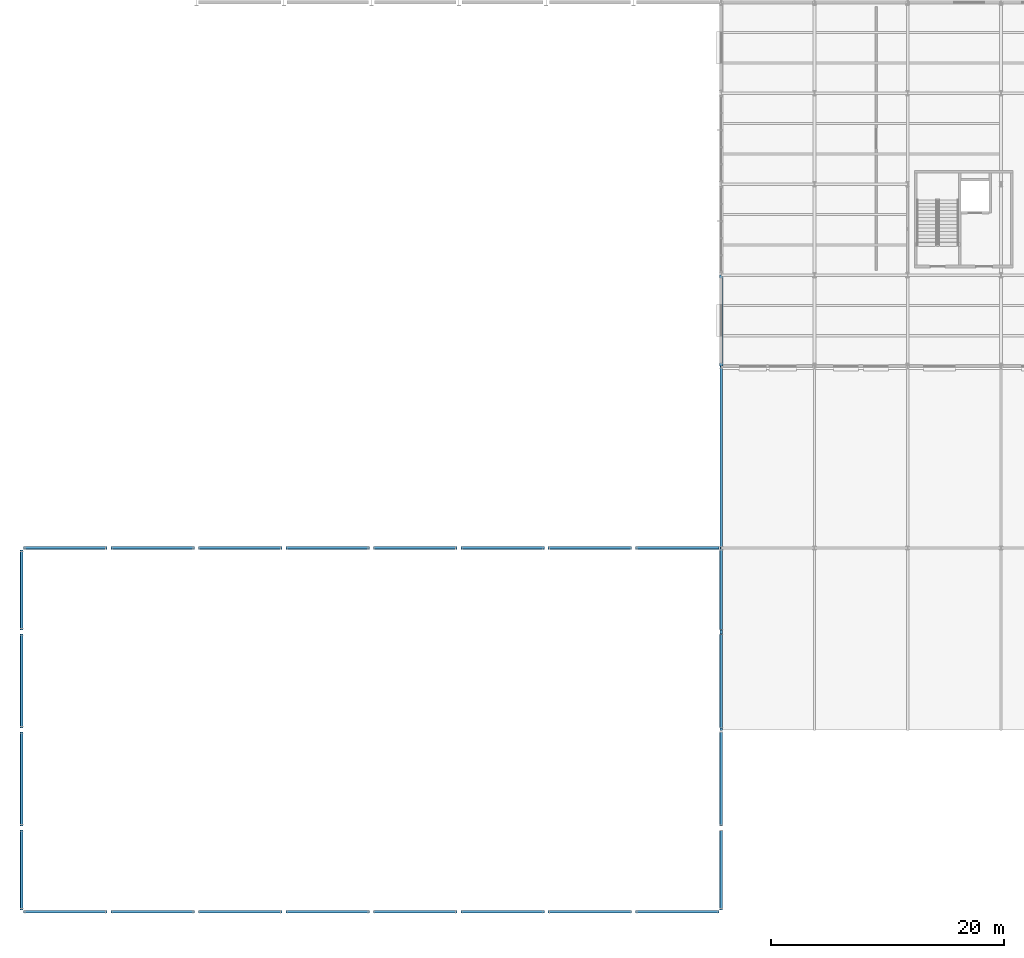
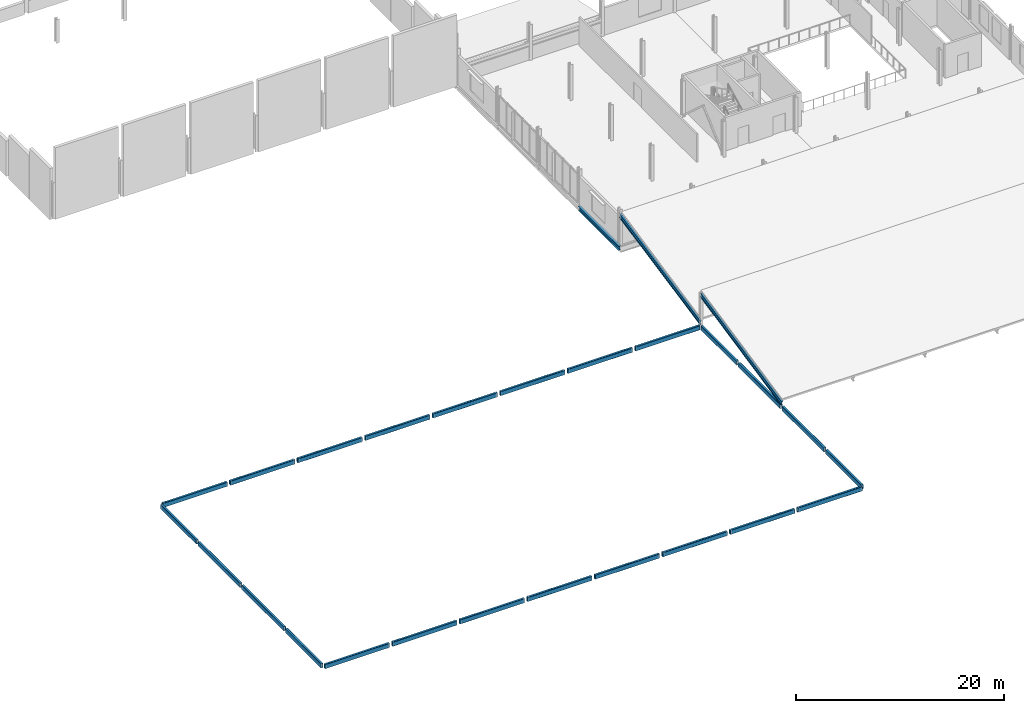
# One storey, part 11 of 45: 27 beams.
"""IFC4 building model written with IfcOpenShell, lengths in metres."""

from ifc_helpers import new_model, si_unit, direction, frame, origin, origin_2d, place, context, subcontext, project, spatial, hollow_rectangle, i_section, extrude, material, material_profile, profile_set, type_object, element, save


model = new_model("IFC4")

# Units and contexts
model_context = context("Model", 3, precision=1e-05, world=origin(), true_north=direction((0.0, 1.0)))
body_context = subcontext(model_context, "Body", "Model", "MODEL_VIEW")
ifc_project = project(units=[si_unit("LENGTHUNIT", "METRE"), si_unit("AREAUNIT", "SQUARE_METRE"), si_unit("VOLUMEUNIT", "CUBIC_METRE"), si_unit("PLANEANGLEUNIT", "RADIAN"), si_unit("MASSUNIT", "GRAM", prefix="KILO")], contexts=[model_context])

# Site, building, storey
site_placement = place(None, origin())
site = spatial("IfcSite", under=ifc_project, at=site_placement, CompositionType="ELEMENT")
building_placement = place(site_placement, origin())
building = spatial("IfcBuilding", under=site, at=building_placement, Name="Yukiwa Park Conservatory and Herbarium", CompositionType="ELEMENT")
storey_placement = place(building_placement, frame((0.0, 0.0, 9.0)))
storey = spatial("IfcBuildingStorey", under=building, at=storey_placement, Name="L02", CompositionType="ELEMENT", Elevation=9.0)

# Beams
ifc_material_1 = material(Name="Steel Q355D", Category="steel")
ifc_material_profile_1 = material_profile(ifc_material_1, i_section(OverallWidth=0.199951171875, OverallDepth=0.5, WebThickness=0.010009765625, FlangeThickness=0.01611328125, FilletRadius=0.02001953125, at=origin_2d()), Name="HN 500x200x10x16")
ifc_profile_set_1 = profile_set([ifc_material_profile_1], Name="Steel Q355D")
beam_type_1 = type_object("IfcBeamType", Name="BM-GRD-HN500-EXT", PredefinedType="BEAM", material=ifc_profile_set_1)
beam_1_placement = place(storey_placement, frame((60.0, 15.60595703125, 0.205078125), z_axis=(0.0, 0.978114951062, 0.208065236187), x_axis=(-1.0, 0.0, 0.0)))
element("IfcBeam", 1, at=beam_1_placement, inside=storey, type_object=beam_type_1, Name="Concourse sloped roof rafter 1.1", PredefinedType="BEAM", context=body_context, shape_type="SweptSolid", body=[
    extrude(i_section(OverallWidth=0.199951171875, OverallDepth=0.5, WebThickness=0.010009765625, FlangeThickness=0.01611328125, FilletRadius=0.02001953125, at=origin_2d()), origin(), (0.0, 0.0, 1.0), 15.93701171875),
])
beam_2_placement = place(storey_placement, frame((60.0, 31.2060546875, 0.205078125), z_axis=(0.0, 0.979635987372, 0.200781802574), x_axis=(-1.0, 0.0, 0.0)))
element("IfcBeam", 2, at=beam_2_placement, inside=storey, type_object=beam_type_1, Name="Concourse sloped roof rafter 2.1", PredefinedType="BEAM", context=body_context, shape_type="SweptSolid", body=[
    extrude(i_section(OverallWidth=0.199951171875, OverallDepth=0.5, WebThickness=0.010009765625, FlangeThickness=0.01611328125, FilletRadius=0.02001953125, at=origin_2d()), origin(), (0.0, 0.0, 1.0), 15.911865234375),
])
ifc_material_2 = material(Name="Steel Q355D", Category="steel")
ifc_material_profile_2 = material_profile(ifc_material_2, i_section(OverallWidth=0.300048828125, OverallDepth=0.493896484375, WebThickness=0.010986328125, FlangeThickness=0.014892578125, FilletRadius=0.02392578125, at=origin_2d()), Name="HM 494x300x11x15")
ifc_profile_set_2 = profile_set([ifc_material_profile_2], Name="Steel Q355D")
beam_type_2 = type_object("IfcBeamType", Name="BM-SPN-HN450", PredefinedType="SPANDREL", material=ifc_profile_set_2)
beam_3_placement = place(storey_placement, frame((60.0, 46.805908203125, -0.491943359375), z_axis=(0.0, 1.0, 0.0), x_axis=(-1.0, 0.0, 0.0)))
element("IfcBeam", 3, at=beam_3_placement, inside=storey, type_object=beam_type_2, Name="L02 spandrel girder Y-58", PredefinedType="SPANDREL", context=body_context, shape_type="SweptSolid", body=[
    extrude(i_section(OverallWidth=0.300048828125, OverallDepth=0.493896484375, WebThickness=0.010986328125, FlangeThickness=0.014892578125, FilletRadius=0.02392578125, at=origin_2d()), origin(), (0.0, 0.0, 1.0), 7.7880859375),
])
ifc_material_3 = material(Name="Steel Q355D", Category="steel")
ifc_material_profile_3 = material_profile(ifc_material_3, hollow_rectangle(XDim=0.25, YDim=0.5, WallThickness=0.01611328125, InnerFilletRadius=0.01611328125, OuterFilletRadius=0.031982421875, at=origin_2d()), Name="RHS 500x250x16")
ifc_profile_set_3 = profile_set([ifc_material_profile_3], Name="Steel Q355D")
beam_type_3 = type_object("IfcBeamType", Name="BM-VLT-RING500", PredefinedType="SPANDREL", material=ifc_profile_set_3)
for number, where, z_axis, x_axis, name in (
    (4, (0.169921875, 0.0, -0.25), (1.0, 0.0, 0.0), (0.0, 1.0, 0.0), "Conservatory vault springing ring beam S-1"),
    (5, (0.169921875, 31.199951171875, -0.25), (1.0, 0.0, 0.0), (0.0, 1.0, 0.0), "Conservatory vault springing ring beam N-1"),
    (6, (7.669921875, 0.0, -0.25), (1.0, 0.0, 0.0), (0.0, 1.0, 0.0), "Conservatory vault springing ring beam S-2"),
    (7, (7.669921875, 31.199951171875, -0.25), (1.0, 0.0, 0.0), (0.0, 1.0, 0.0), "Conservatory vault springing ring beam N-2"),
    (8, (15.169921875, 0.0, -0.25), (1.0, 0.0, 0.0), (0.0, 1.0, 0.0), "Conservatory vault springing ring beam S-3"),
    (9, (15.169921875, 31.199951171875, -0.25), (1.0, 0.0, 0.0), (0.0, 1.0, 0.0), "Conservatory vault springing ring beam N-3"),
    (10, (22.669921875, 0.0, -0.25), (1.0, 0.0, 0.0), (0.0, 1.0, 0.0), "Conservatory vault springing ring beam S-4"),
    (11, (22.669921875, 31.199951171875, -0.25), (1.0, 0.0, 0.0), (0.0, 1.0, 0.0), "Conservatory vault springing ring beam N-4"),
    (12, (30.169921875, 0.0, -0.25), (1.0, 0.0, 0.0), (0.0, 1.0, 0.0), "Conservatory vault springing ring beam S-5"),
    (13, (30.169921875, 31.199951171875, -0.25), (1.0, 0.0, 0.0), (0.0, 1.0, 0.0), "Conservatory vault springing ring beam N-5"),
    (14, (37.669921875, 0.0, -0.25), (1.0, 0.0, 0.0), (0.0, 1.0, 0.0), "Conservatory vault springing ring beam S-6"),
    (15, (37.669921875, 31.199951171875, -0.25), (1.0, 0.0, 0.0), (0.0, 1.0, 0.0), "Conservatory vault springing ring beam N-6"),
    (16, (45.169921875, 0.0, -0.25), (1.0, 0.0, 0.0), (0.0, 1.0, 0.0), "Conservatory vault springing ring beam S-7"),
    (17, (45.169921875, 31.199951171875, -0.25), (1.0, 0.0, 0.0), (0.0, 1.0, 0.0), "Conservatory vault springing ring beam N-7"),
    (18, (52.669921875, 0.0, -0.25), (1.0, 0.0, 0.0), (0.0, 1.0, 0.0), "Conservatory vault springing ring beam S-8"),
    (19, (52.669921875, 31.199951171875, -0.25), (1.0, 0.0, 0.0), (0.0, 1.0, 0.0), "Conservatory vault springing ring beam N-8"),
):
    element("IfcBeam", number, at=place(storey_placement, frame(where, z_axis=z_axis, x_axis=x_axis)), inside=storey, type_object=beam_type_3, Name=name, PredefinedType="SPANDREL", context=body_context, shape_type="SweptSolid", body=[
        extrude(hollow_rectangle(XDim=0.25, YDim=0.5, WallThickness=0.01611328125, InnerFilletRadius=0.01611328125, OuterFilletRadius=0.031982421875, at=origin_2d()), origin(), (0.0, 0.0, 1.0), 7.16015625),
    ])
beam_4_placement = place(storey_placement, frame((0.0, 0.169921875, -0.25), z_axis=(0.0, 1.0, 0.0), x_axis=(-1.0, 0.0, 0.0)))
element("IfcBeam", 20, at=beam_4_placement, inside=storey, type_object=beam_type_3, Name="Conservatory vault gable ring beam W-1", PredefinedType="SPANDREL", context=body_context, shape_type="SweptSolid", body=[
    extrude(hollow_rectangle(XDim=0.25, YDim=0.5, WallThickness=0.01611328125, InnerFilletRadius=0.01611328125, OuterFilletRadius=0.031982421875, at=origin_2d()), origin(), (0.0, 0.0, 1.0), 6.860107421875),
])
beam_5_placement = place(storey_placement, frame((0.0, 7.3701171875, -0.25), z_axis=(0.0, 1.0, 0.0), x_axis=(-1.0, 0.0, 0.0)))
element("IfcBeam", 21, at=beam_5_placement, inside=storey, type_object=beam_type_3, Name="Conservatory vault gable ring beam W-2", PredefinedType="SPANDREL", context=body_context, shape_type="SweptSolid", body=[
    extrude(hollow_rectangle(XDim=0.25, YDim=0.5, WallThickness=0.01611328125, InnerFilletRadius=0.01611328125, OuterFilletRadius=0.031982421875, at=origin_2d()), origin(), (0.0, 0.0, 1.0), 8.059814453125),
])
beam_6_placement = place(storey_placement, frame((0.0, 15.77001953125, -0.25), z_axis=(0.0, 1.0, 0.0), x_axis=(-1.0, 0.0, 0.0)))
element("IfcBeam", 22, at=beam_6_placement, inside=storey, type_object=beam_type_3, Name="Conservatory vault gable ring beam W-3", PredefinedType="SPANDREL", context=body_context, shape_type="SweptSolid", body=[
    extrude(hollow_rectangle(XDim=0.25, YDim=0.5, WallThickness=0.01611328125, InnerFilletRadius=0.01611328125, OuterFilletRadius=0.031982421875, at=origin_2d()), origin(), (0.0, 0.0, 1.0), 8.06005859375),
])
for number, where, z_axis, x_axis, name in (
    (23, (0.0, 24.169921875, -0.25), (0.0, 1.0, 0.0), (-1.0, 0.0, 0.0), "Conservatory vault gable ring beam W-4"),
    (24, (60.0, 0.169921875, -0.25), (0.0, 1.0, 0.0), (-1.0, 0.0, 0.0), "Conservatory vault gable ring beam E-1"),
):
    element("IfcBeam", number, at=place(storey_placement, frame(where, z_axis=z_axis, x_axis=x_axis)), inside=storey, type_object=beam_type_3, Name=name, PredefinedType="SPANDREL", context=body_context, shape_type="SweptSolid", body=[
        extrude(hollow_rectangle(XDim=0.25, YDim=0.5, WallThickness=0.01611328125, InnerFilletRadius=0.01611328125, OuterFilletRadius=0.031982421875, at=origin_2d()), origin(), (0.0, 0.0, 1.0), 6.860107421875),
    ])
beam_7_placement = place(storey_placement, frame((60.0, 7.3701171875, -0.25), z_axis=(0.0, 1.0, 0.0), x_axis=(-1.0, 0.0, 0.0)))
element("IfcBeam", 25, at=beam_7_placement, inside=storey, type_object=beam_type_3, Name="Conservatory vault gable ring beam E-2", PredefinedType="SPANDREL", context=body_context, shape_type="SweptSolid", body=[
    extrude(hollow_rectangle(XDim=0.25, YDim=0.5, WallThickness=0.01611328125, InnerFilletRadius=0.01611328125, OuterFilletRadius=0.031982421875, at=origin_2d()), origin(), (0.0, 0.0, 1.0), 8.059814453125),
])
ifc_material_4 = material(Name="Steel Q355D", Category="steel")
ifc_material_profile_4 = material_profile(ifc_material_4, hollow_rectangle(XDim=0.25, YDim=0.5, WallThickness=0.01611328125, InnerFilletRadius=0.01611328125, OuterFilletRadius=0.031982421875, at=origin_2d()), Name="RHS 500x250x16")
ifc_profile_set_4 = profile_set([ifc_material_profile_4], Name="Steel Q355D")
beam_type_4 = type_object("IfcBeamType", Name="BM-VLT-RING500-INT", PredefinedType="SPANDREL", material=ifc_profile_set_4)
beam_8_placement = place(storey_placement, frame((60.0, 15.77001953125, -0.25), z_axis=(0.0, 1.0, 0.0), x_axis=(-1.0, 0.0, 0.0)))
element("IfcBeam", 26, at=beam_8_placement, inside=storey, type_object=beam_type_4, Name="Conservatory vault gable ring beam E-3", PredefinedType="SPANDREL", context=body_context, shape_type="SweptSolid", body=[
    extrude(hollow_rectangle(XDim=0.25, YDim=0.5, WallThickness=0.01611328125, InnerFilletRadius=0.01611328125, OuterFilletRadius=0.031982421875, at=origin_2d()), origin(), (0.0, 0.0, 1.0), 8.06005859375),
])
beam_9_placement = place(storey_placement, frame((60.0, 24.169921875, -0.25), z_axis=(0.0, 1.0, 0.0), x_axis=(-1.0, 0.0, 0.0)))
element("IfcBeam", 27, at=beam_9_placement, inside=storey, type_object=beam_type_4, Name="Conservatory vault gable ring beam E-4", PredefinedType="SPANDREL", context=body_context, shape_type="SweptSolid", body=[
    extrude(hollow_rectangle(XDim=0.25, YDim=0.5, WallThickness=0.01611328125, InnerFilletRadius=0.01611328125, OuterFilletRadius=0.031982421875, at=origin_2d()), origin(), (0.0, 0.0, 1.0), 6.860107421875),
])

save(model, "model.ifc")
